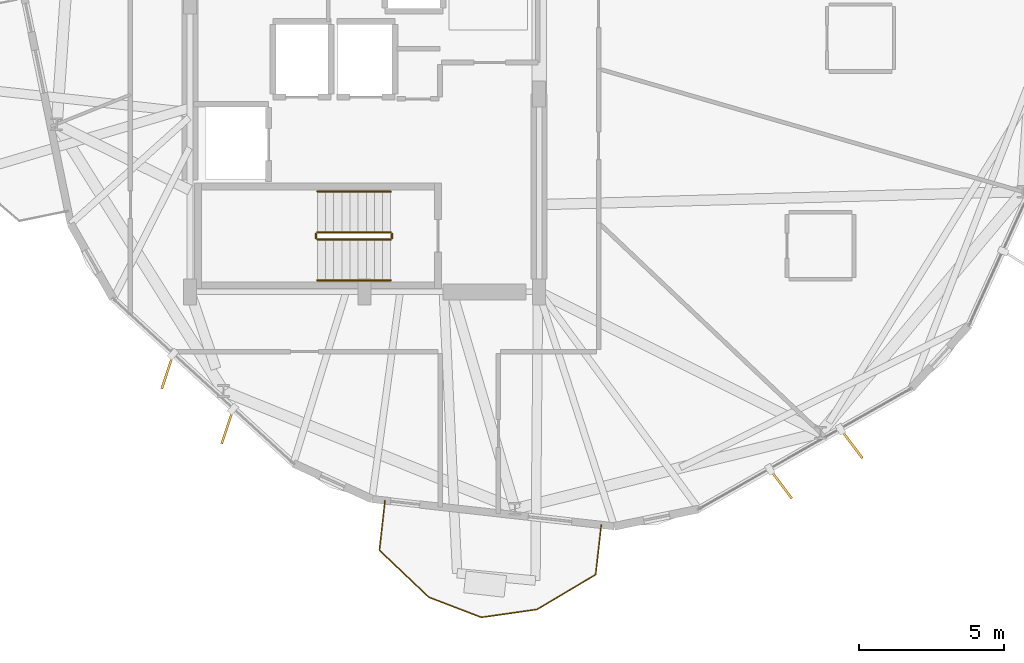
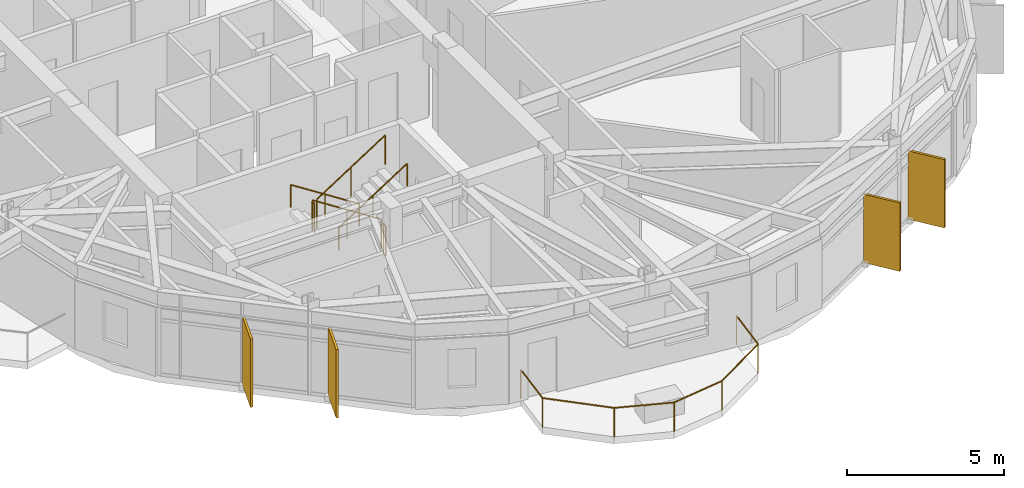
# One storey, part 20 of 22: 7 railings, 4 shading devices.
"""IFC4 building model written with IfcOpenShell, lengths in metres."""

from ifc_helpers import new_model, si_unit, direction, frame, origin, origin_2d, place, context, subcontext, project, spatial, rectangle, circle, extrude, material, layer, layer_set, type_object, element, save


model = new_model("IFC4")

# Units and contexts
model_context = context("Model", 3, precision=1e-05, world=origin(), true_north=direction((0.0, 1.0)))
body_context = subcontext(model_context, "Body", "Model", "MODEL_VIEW")
ifc_project = project(units=[si_unit("LENGTHUNIT", "METRE"), si_unit("AREAUNIT", "SQUARE_METRE"), si_unit("VOLUMEUNIT", "CUBIC_METRE"), si_unit("PLANEANGLEUNIT", "RADIAN"), si_unit("MASSUNIT", "GRAM", prefix="KILO")], contexts=[model_context])

# Site, building, storey
site_placement = place(None, origin())
site = spatial("IfcSite", under=ifc_project, at=site_placement, CompositionType="ELEMENT")
building_placement = place(site_placement, origin())
building = spatial("IfcBuilding", under=site, at=building_placement, Name="Soratama Intermodal Tower", CompositionType="ELEMENT")
storey_placement = place(building_placement, frame((0.0, 0.0, 142.60009765625)))
storey = spatial("IfcBuildingStorey", under=building, at=storey_placement, Name="L34", CompositionType="ELEMENT", Elevation=142.60009765625)

# Railings
ifc_material_1 = material(Name="Laminated glass and stainless steel balustrade", Category="steel")
railing_type_1 = type_object("IfcRailingType", Name="RL-BAL-1150", PredefinedType="BALUSTRADE", material=ifc_material_1)
railing_1_placement = place(storey_placement, frame((46.739013671875, 6.99169921875, 0.0)))
element("IfcRailing", 1, at=railing_1_placement, inside=storey, type_object=railing_type_1, Name="L34 Balcony Balustrade 4", PredefinedType="BALUSTRADE", context=body_context, shape_type="SweptSolid", body=[
    extrude(circle(Radius=0.02392578125, at=origin_2d()), frame((0.0, 0.0, 1.1259765625), z_axis=(-0.111864865918, -0.99372342821, 0.0), x_axis=(0.99372342821, -0.111864865918, 0.0)), (0.0, 0.0, 1.0), 1.7197265625),
    extrude(circle(Radius=0.02392578125, at=origin_2d()), frame((-0.1923828125, -1.708984375, 1.1259765625), z_axis=(-0.85995324003, -0.510372829373, 0.0), x_axis=(0.510372829373, -0.85995324003, 0.0)), (0.0, 0.0, 1.0), 2.345947265625),
    extrude(circle(Radius=0.02392578125, at=origin_2d()), frame((-2.209716796875, -2.90625, 1.1259765625), z_axis=(-0.990012557651, -0.140979203055, 0.0), x_axis=(0.140979203055, -0.990012557651, 0.0)), (0.0, 0.0, 1.0), 1.9326171875),
    extrude(circle(Radius=0.02392578125, at=origin_2d()), frame((-4.123046875, -3.1787109375, 1.1259765625), z_axis=(-0.933914191436, 0.357497248988, 0.0), x_axis=(-0.357497248988, -0.933914191436, 0.0)), (0.0, 0.0, 1.0), 1.9326171875),
    extrude(circle(Radius=0.02392578125, at=origin_2d()), frame((-5.927978515625, -2.48779296875, 1.1259765625), z_axis=(-0.72508517639, 0.688659195088, 0.0), x_axis=(-0.688659195088, -0.72508517639, 0.0)), (0.0, 0.0, 1.0), 2.345947265625),
    extrude(circle(Radius=0.02392578125, at=origin_2d()), frame((-7.62890625, -0.872314453125, 1.1259765625), z_axis=(0.111849087414, 0.993725204292, 0.0), x_axis=(-0.993725204292, 0.111849087414, 0.0)), (0.0, 0.0, 1.0), 1.719970703125),
    extrude(circle(Radius=0.02099609375, at=origin_2d()), origin(), (0.0, 0.0, 1.0), 1.101806640625),
    extrude(circle(Radius=0.02099609375, at=origin_2d()), frame((-0.1923828125, -1.708984375, 0.0)), (0.0, 0.0, 1.0), 1.101806640625),
    extrude(circle(Radius=0.02099609375, at=origin_2d()), frame((-2.209716796875, -2.90625, 0.0)), (0.0, 0.0, 1.0), 1.101806640625),
    extrude(circle(Radius=0.02099609375, at=origin_2d()), frame((-4.123046875, -3.1787109375, 0.0)), (0.0, 0.0, 1.0), 1.101806640625),
    extrude(circle(Radius=0.02099609375, at=origin_2d()), frame((-5.927978515625, -2.48779296875, 0.0)), (0.0, 0.0, 1.0), 1.101806640625),
    extrude(circle(Radius=0.02099609375, at=origin_2d()), frame((-7.62890625, -0.872314453125, 0.0)), (0.0, 0.0, 1.0), 1.101806640625),
    extrude(circle(Radius=0.02099609375, at=origin_2d()), frame((-7.4365234375, 0.8369140625, 0.0)), (0.0, 0.0, 1.0), 1.101806640625),
])
ifc_material_2 = material(Name="Painted steel stair guardrail", Category="steel")
railing_type_2 = type_object("IfcRailingType", Name="RL-STAIR-GUARD", PredefinedType="GUARDRAIL", material=ifc_material_2)
railing_2_placement = place(storey_placement, frame((39.5, 17.050048828125, 0.179931640625)))
element("IfcRailing", 2, at=railing_2_placement, inside=storey, type_object=railing_type_2, Name="L34 ST-1 stair guard 1", PredefinedType="GUARDRAIL", context=body_context, shape_type="SweptSolid", body=[
    extrude(circle(Radius=0.02392578125, at=origin_2d()), frame((0.0, 0.0, 1.1259765625), z_axis=(-0.841199657755, 0.0, 0.540724639528), x_axis=(0.0, -1.0, 0.0)), (0.0, 0.0, 1.0), 2.995849609375),
    extrude(circle(Radius=0.02099609375, at=origin_2d()), origin(), (0.0, 0.0, 1.0), 1.101806640625),
    extrude(circle(Radius=0.02099609375, at=origin_2d()), frame((-1.260009765625, 0.0, 0.81005859375)), (0.0, 0.0, 1.0), 1.101806640625),
    extrude(circle(Radius=0.02099609375, at=origin_2d()), frame((-2.52001953125, 0.0, 1.619873046875)), (0.0, 0.0, 1.0), 1.101806640625),
])
railing_3_placement = place(storey_placement, frame((36.929931640625, 17.0, 1.7998046875)))
element("IfcRailing", 3, at=railing_3_placement, inside=storey, type_object=railing_type_2, Name="L34 ST-1 stair guard 2", PredefinedType="GUARDRAIL", context=body_context, shape_type="SweptSolid", body=[
    extrude(circle(Radius=0.02392578125, at=origin_2d()), frame((0.0, 0.0, 1.1259765625), z_axis=(0.0, -1.0, 0.0), x_axis=(1.0, 0.0, 0.0)), (0.0, 0.0, 1.0), 0.14990234375),
    extrude(circle(Radius=0.02099609375, at=origin_2d()), origin(), (0.0, 0.0, 1.0), 1.101806640625),
    extrude(circle(Radius=0.02099609375, at=origin_2d()), frame((0.0, -0.14990234375, 0.0)), (0.0, 0.0, 1.0), 1.101806640625),
])
railing_4_placement = place(storey_placement, frame((36.97998046875, 16.800048828125, 1.97998046875)))
element("IfcRailing", 4, at=railing_4_placement, inside=storey, type_object=railing_type_2, Name="L34 ST-1 stair guard 3", PredefinedType="GUARDRAIL", context=body_context, shape_type="SweptSolid", body=[
    extrude(circle(Radius=0.02392578125, at=origin_2d()), frame((0.0, 0.0, 1.1259765625), z_axis=(0.841199657755, 0.0, 0.540724639528), x_axis=(0.0, 1.0, 0.0)), (0.0, 0.0, 1.0), 2.995849609375),
    extrude(circle(Radius=0.02099609375, at=origin_2d()), origin(), (0.0, 0.0, 1.0), 1.101806640625),
    extrude(circle(Radius=0.02099609375, at=origin_2d()), frame((1.260009765625, 0.0, 0.81005859375)), (0.0, 0.0, 1.0), 1.101806640625),
    extrude(circle(Radius=0.02099609375, at=origin_2d()), frame((2.52001953125, 0.0, 1.619873046875)), (0.0, 0.0, 1.0), 1.101806640625),
])
railing_5_placement = place(storey_placement, frame((39.550048828125, 17.0, 0.0)))
element("IfcRailing", 5, at=railing_5_placement, inside=storey, type_object=railing_type_2, Name="L34 ST-1 stair guard 4", PredefinedType="GUARDRAIL", context=body_context, shape_type="SweptSolid", body=[
    extrude(circle(Radius=0.02392578125, at=origin_2d()), frame((0.0, 0.0, 1.1259765625), z_axis=(0.0, -1.0, 0.0), x_axis=(1.0, 0.0, 0.0)), (0.0, 0.0, 1.0), 0.14990234375),
    extrude(circle(Radius=0.02099609375, at=origin_2d()), origin(), (0.0, 0.0, 1.0), 1.101806640625),
    extrude(circle(Radius=0.02099609375, at=origin_2d()), frame((0.0, -0.14990234375, 0.0)), (0.0, 0.0, 1.0), 1.101806640625),
])
ifc_material_3 = material(Name="Brushed stainless steel handrail", Category="steel")
railing_type_3 = type_object("IfcRailingType", Name="RL-STAIR-HAND", PredefinedType="HANDRAIL", material=ifc_material_3)
railing_6_placement = place(storey_placement, frame((39.5, 18.449951171875, 0.179931640625)))
element("IfcRailing", 6, at=railing_6_placement, inside=storey, type_object=railing_type_3, Name="L34 ST-1 stair handrail 1", PredefinedType="HANDRAIL", context=body_context, shape_type="SweptSolid", body=[
    extrude(circle(Radius=0.02392578125, at=origin_2d()), frame((0.0, 0.0, 0.8759765625), z_axis=(-0.841199657755, 0.0, 0.540724639528), x_axis=(0.0, -1.0, 0.0)), (0.0, 0.0, 1.0), 2.995849609375),
    extrude(circle(Radius=0.02099609375, at=origin_2d()), origin(), (0.0, 0.0, 1.0), 0.851806640625),
    extrude(circle(Radius=0.02099609375, at=origin_2d()), frame((-1.260009765625, 0.0, 0.81005859375)), (0.0, 0.0, 1.0), 0.851806640625),
    extrude(circle(Radius=0.02099609375, at=origin_2d()), frame((-2.52001953125, 0.0, 1.619873046875)), (0.0, 0.0, 1.0), 0.851806640625),
])
railing_7_placement = place(storey_placement, frame((36.97998046875, 15.39990234375, 1.97998046875)))
element("IfcRailing", 7, at=railing_7_placement, inside=storey, type_object=railing_type_3, Name="L34 ST-1 stair handrail 2", PredefinedType="HANDRAIL", context=body_context, shape_type="SweptSolid", body=[
    extrude(circle(Radius=0.02392578125, at=origin_2d()), frame((0.0, 0.0, 0.8759765625), z_axis=(0.841199657755, 0.0, 0.540724639528), x_axis=(0.0, 1.0, 0.0)), (0.0, 0.0, 1.0), 2.995849609375),
    extrude(circle(Radius=0.02099609375, at=origin_2d()), origin(), (0.0, 0.0, 1.0), 0.851806640625),
    extrude(circle(Radius=0.02099609375, at=origin_2d()), frame((1.260009765625, 0.0, 0.81005859375)), (0.0, 0.0, 1.0), 0.851806640625),
    extrude(circle(Radius=0.02099609375, at=origin_2d()), frame((2.52001953125, 0.0, 1.619873046875)), (0.0, 0.0, 1.0), 0.851806640625),
])

# Shading devices
ifc_material_4 = material(Name="Champagne anodised aluminium solar fin", Category="aluminium")
ifc_layer = layer(ifc_material_4, 0.080078125)
ifc_layer_set = layer_set([ifc_layer], Name="Champagne anodised aluminium solar fin")
shading_device_type = type_object("IfcShadingDeviceType", Name="SH-FIN-1250", PredefinedType="USERDEFINED", material=ifc_layer_set)
for number, where, z_axis, x_axis, name in (
    (8, (31.824462890625, 12.263427734375, 0.02001953125), (0.0, 0.0, 1.0), (-0.315980237922, -0.948765771538, 0.0), "L34 Solar Fin F06-1"),
    (9, (33.887451171875, 10.37841796875, 0.02001953125), (0.0, 0.0, 1.0), (-0.315980237922, -0.948765771538, 0.0), "L34 Solar Fin F06-2"),
    (10, (52.910888671875, 8.4013671875, 0.02001953125), (0.0, 0.0, 1.0), (0.601815023152, -0.798635510047, 0.0), "L34 Solar Fin F08-1"),
    (11, (55.341064453125, 9.78076171875, 0.02001953125), (0.0, 0.0, 1.0), (0.601815023152, -0.798635510047, 0.0), "L34 Solar Fin F08-2"),
):
    element("IfcShadingDevice", number, at=place(storey_placement, frame(where, z_axis=z_axis, x_axis=x_axis)), inside=storey, type_object=shading_device_type, Name=name, ObjectType="FIN", PredefinedType="USERDEFINED", context=body_context, shape_type="SweptSolid", body=[
        extrude(rectangle(XDim=1.25, YDim=0.080078125, at=origin_2d()), origin(), (0.0, 0.0, 1.0), 2.658935546875),
    ])

save(model, "model.ifc")
